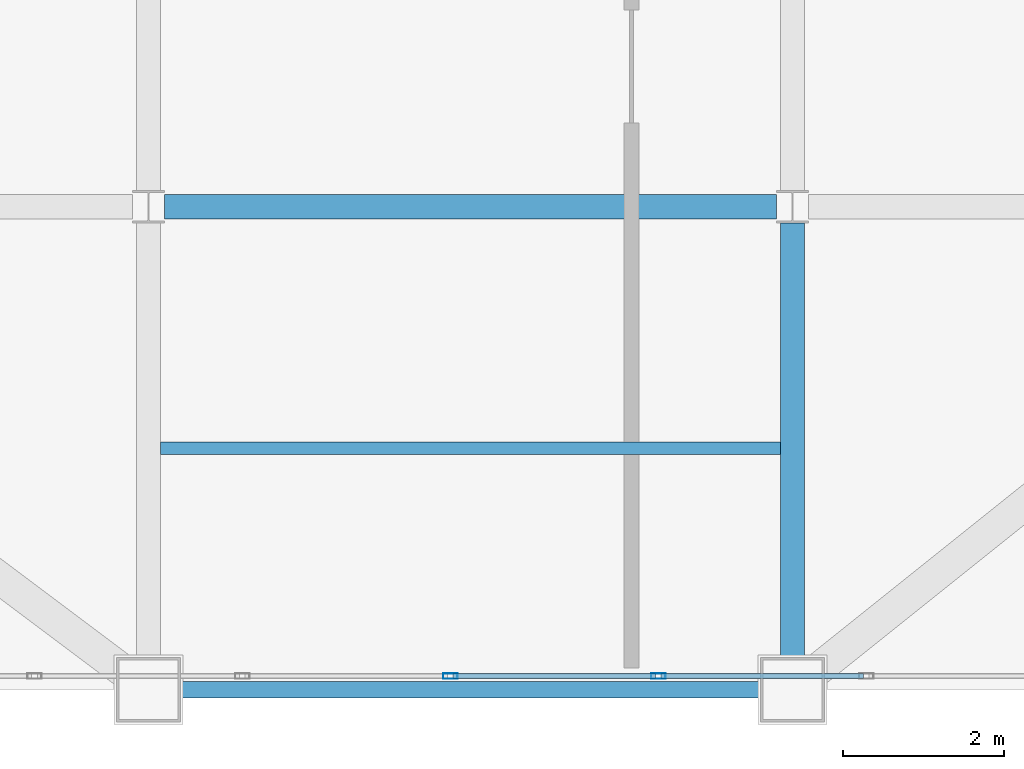
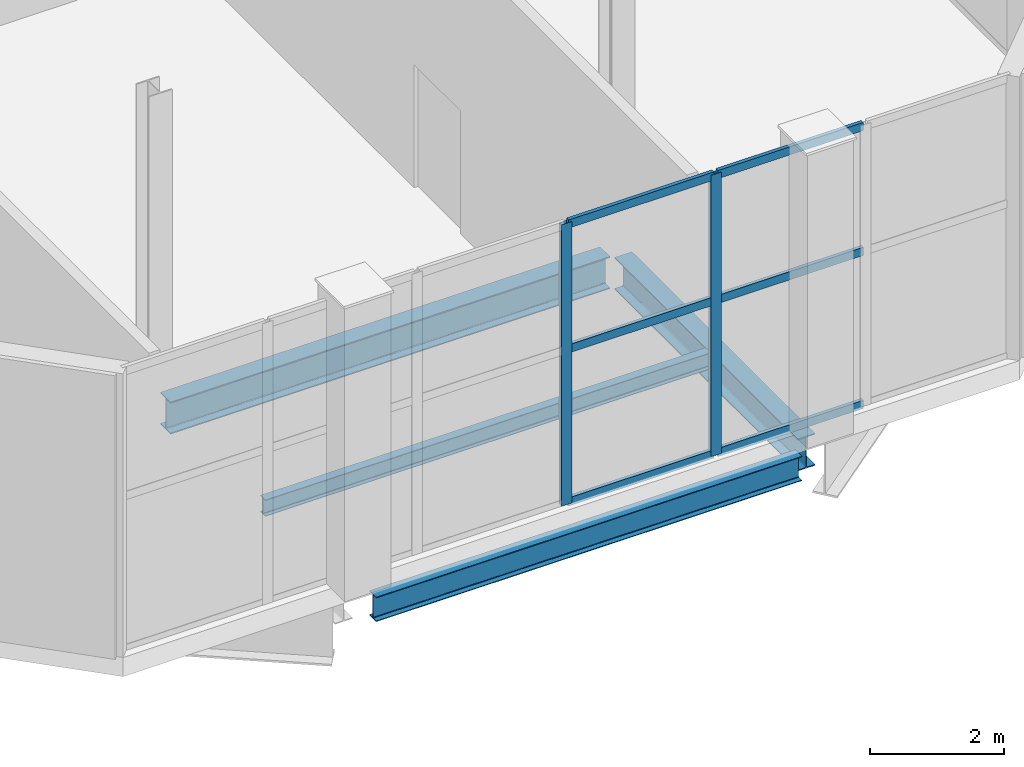
# One storey, part 9 of 23: 8 members, 4 beams, 1 element without a shape of its own.
"""IFC4 building model written with IfcOpenShell, lengths in metres."""

from ifc_helpers import new_model, si_unit, direction, frame, origin, origin_2d, place, context, subcontext, project, spatial, hollow_rectangle, i_section, extrude, material, layer, layer_set, material_profile, profile_set, type_object, element, aggregate, save


model = new_model("IFC4")

# Units and contexts
model_context = context("Model", 3, precision=1e-05, world=origin(), true_north=direction((0.0, 1.0)))
body_context = subcontext(model_context, "Body", "Model", "MODEL_VIEW")
ifc_project = project(units=[si_unit("LENGTHUNIT", "METRE"), si_unit("AREAUNIT", "SQUARE_METRE"), si_unit("VOLUMEUNIT", "CUBIC_METRE"), si_unit("PLANEANGLEUNIT", "RADIAN"), si_unit("MASSUNIT", "GRAM", prefix="KILO")], contexts=[model_context])

# Site, building, storey
site_placement = place(None, origin())
site = spatial("IfcSite", under=ifc_project, at=site_placement, CompositionType="ELEMENT")
building_placement = place(site_placement, origin())
building = spatial("IfcBuilding", under=site, at=building_placement, Name="Qianrong Seaharbour Tower", CompositionType="ELEMENT")
storey_placement = place(building_placement, frame((0.0, 0.0, 281.800048828125)))
storey = spatial("IfcBuildingStorey", under=building, at=storey_placement, Name="L68", CompositionType="ELEMENT", Elevation=281.800048828125)

# Beams
ifc_material_1 = material(Name="Structural steel SN490B", Category="steel")
ifc_material_profile_1 = material_profile(ifc_material_1, i_section(OverallWidth=0.300048828125, OverallDepth=0.587890625, WebThickness=0.011962890625, FlangeThickness=0.02001953125, FilletRadius=0.02392578125, at=origin_2d()), Name="H588x300x12x20")
ifc_profile_set_1 = profile_set([ifc_material_profile_1], Name="Structural steel SN490B")
beam_type_1 = type_object("IfcBeamType", Name="BM-G-588", PredefinedType="BEAM", material=ifc_profile_set_1)
beam_1_placement = place(storey_placement, frame((48.699951171875, 18.5, -0.64404296875), z_axis=(1.0, 0.0, 0.0), x_axis=(0.0, 1.0, 0.0)))
element("IfcBeam", 1, at=beam_1_placement, inside=storey, type_object=beam_type_1, Name="L68 Primary Girder GD G7-G8", PredefinedType="BEAM", context=body_context, shape_type="SweptSolid", body=[
    extrude(i_section(OverallWidth=0.300048828125, OverallDepth=0.587890625, WebThickness=0.011962890625, FlangeThickness=0.02001953125, FilletRadius=0.02392578125, at=origin_2d()), origin(), (0.0, 0.0, 1.0), 7.60009765625),
])
beam_2_placement = place(storey_placement, frame((56.5, 12.820068359375, -0.64404296875), z_axis=(0.0, 1.0, 0.0), x_axis=(-1.0, 0.0, 0.0)))
element("IfcBeam", 2, at=beam_2_placement, inside=storey, type_object=beam_type_1, Name="L68 Primary Girder G8 GC-GD", PredefinedType="BEAM", context=body_context, shape_type="SweptSolid", body=[
    extrude(i_section(OverallWidth=0.300048828125, OverallDepth=0.587890625, WebThickness=0.011962890625, FlangeThickness=0.02001953125, FilletRadius=0.02392578125, at=origin_2d()), origin(), (0.0, 0.0, 1.0), 5.47998046875),
])
ifc_material_2 = material(Name="Structural steel SN400B", Category="steel")
ifc_material_profile_2 = material_profile(ifc_material_2, i_section(OverallWidth=0.14990234375, OverallDepth=0.300048828125, WebThickness=0.006591796875, FlangeThickness=0.009033203125, FilletRadius=0.012939453125, at=origin_2d()), Name="H300x150x6.5x9")
ifc_profile_set_2 = profile_set([ifc_material_profile_2], Name="Structural steel SN400B")
beam_type_2 = type_object("IfcBeamType", Name="BM-J-300", PredefinedType="JOIST", material=ifc_profile_set_2)
beam_3_placement = place(storey_placement, frame((48.64990234375, 15.5, -0.5), z_axis=(1.0, 0.0, 0.0), x_axis=(0.0, 1.0, 0.0)))
element("IfcBeam", 3, at=beam_3_placement, inside=storey, type_object=beam_type_2, Name="L68 Composite Floor Joist G7-G8/GC-GD", PredefinedType="JOIST", context=body_context, shape_type="SweptSolid", body=[
    extrude(i_section(OverallWidth=0.14990234375, OverallDepth=0.300048828125, WebThickness=0.006591796875, FlangeThickness=0.009033203125, FilletRadius=0.012939453125, at=origin_2d()), origin(), (0.0, 0.0, 1.0), 7.7001953125),
])
ifc_material_profile_3 = material_profile(ifc_material_2, i_section(OverallWidth=0.199951171875, OverallDepth=0.449951171875, WebThickness=0.009033203125, FlangeThickness=0.013916015625, FilletRadius=0.01806640625, at=origin_2d()), Name="H450x200x9x14")
ifc_profile_set_3 = profile_set([ifc_material_profile_3], Name="Structural steel SN400B")
beam_type_3 = type_object("IfcBeamType", Name="BM-SP-450", PredefinedType="SPANDREL", material=ifc_profile_set_3)
beam_4_placement = place(storey_placement, frame((48.820068359375, 12.5, -0.574951171875), z_axis=(1.0, 0.0, 0.0), x_axis=(0.0, 1.0, 0.0)))
element("IfcBeam", 4, at=beam_4_placement, inside=storey, type_object=beam_type_3, Name="L68 Spandrel Girder GC G7-G8", PredefinedType="SPANDREL", context=body_context, shape_type="SweptSolid", body=[
    extrude(i_section(OverallWidth=0.199951171875, OverallDepth=0.449951171875, WebThickness=0.009033203125, FlangeThickness=0.013916015625, FilletRadius=0.01806640625, at=origin_2d()), origin(), (0.0, 0.0, 1.0), 7.35986328125),
])

# Curtain wall, members
ifc_material_3 = material(Name="Anodised aluminium 6063-T6 and laminated low-e glass", Category="aluminium")
ifc_layer = layer(ifc_material_3, 0.18505859375)
ifc_layer_set = layer_set([ifc_layer], Name="Anodised aluminium 6063-T6 and laminated low-e glass")
curtain_wall_type = type_object("IfcCurtainWallType", Name="CW-SYS-4", PredefinedType="NOTDEFINED", material=ifc_layer_set)
curtain_wall_placement = place(storey_placement, origin())
curtain_wall = element("IfcCurtainWall", 5, at=curtain_wall_placement, inside=storey, type_object=curtain_wall_type, Name="L68 Refuge Acoustic Louvre Curtain Wall SOUTH_TIP", PredefinedType="NOTDEFINED")
ifc_material_4 = material(Name="Extruded aluminium 6063-T6", Category="aluminium")
ifc_material_profile_4 = material_profile(ifc_material_4, hollow_rectangle(XDim=0.070068359375, YDim=0.179931640625, WallThickness=0.00390625, at=origin_2d()), Name="ALU-MUL-180x70x4")
ifc_profile_set_4 = profile_set([ifc_material_profile_4], Name="Extruded aluminium 6063-T6")
member_type_1 = type_object("IfcMemberType", Name="CW-MUL-180", PredefinedType="MULLION", material=ifc_profile_set_4)
member_1_placement = place(storey_placement, frame((54.833251953125, 12.669921875, 0.0), z_axis=(0.0, 0.0, 1.0), x_axis=(0.0, -1.0, 0.0)))
member_1 = element("IfcMember", 6, at=member_1_placement, type_object=member_type_1, Name="CW-4 mullion 3", PredefinedType="MULLION", context=body_context, shape_type="SweptSolid", body=[
    extrude(hollow_rectangle(XDim=0.070068359375, YDim=0.179931640625, WallThickness=0.00390625, at=origin_2d()), origin(), (0.0, 0.0, 1.0), 5.14501953125),
])
member_2_placement = place(storey_placement, frame((52.25, 12.669921875, 0.0), z_axis=(0.0, 0.0, 1.0), x_axis=(0.0, -1.0, 0.0)))
member_2 = element("IfcMember", 7, at=member_2_placement, type_object=member_type_1, Name="CW-4 mullion 4", PredefinedType="MULLION", context=body_context, shape_type="SweptSolid", body=[
    extrude(hollow_rectangle(XDim=0.070068359375, YDim=0.179931640625, WallThickness=0.00390625, at=origin_2d()), origin(), (0.0, 0.0, 1.0), 5.14501953125),
])
ifc_material_profile_5 = material_profile(ifc_material_4, hollow_rectangle(XDim=0.06494140625, YDim=0.14990234375, WallThickness=0.00390625, at=origin_2d()), Name="ALU-TRN-150x65x4")
ifc_profile_set_5 = profile_set([ifc_material_profile_5], Name="Extruded aluminium 6063-T6")
member_type_2 = type_object("IfcMemberType", Name="CW-TRN-150", PredefinedType="USERDEFINED", material=ifc_profile_set_5)
member_3_placement = place(storey_placement, frame((57.381591796875, 12.669921875, 0.032470703125), z_axis=(-1.0, 0.0, 0.0), x_axis=(0.0, -1.0, 0.0)))
member_3 = element("IfcMember", 8, at=member_3_placement, type_object=member_type_2, Name="CW-4 transom 2.1", ObjectType="TRANSOM", PredefinedType="USERDEFINED", context=body_context, shape_type="SweptSolid", body=[
    extrude(hollow_rectangle(XDim=0.06494140625, YDim=0.14990234375, WallThickness=0.00390625, at=origin_2d()), origin(), (0.0, 0.0, 1.0), 2.51318359375),
])
member_4_placement = place(storey_placement, frame((57.381591796875, 12.669921875, 2.829833984375), z_axis=(-1.0, 0.0, 0.0), x_axis=(0.0, -1.0, 0.0)))
member_4 = element("IfcMember", 9, at=member_4_placement, type_object=member_type_2, Name="CW-4 transom 2.2", ObjectType="TRANSOM", PredefinedType="USERDEFINED", context=body_context, shape_type="SweptSolid", body=[
    extrude(hollow_rectangle(XDim=0.06494140625, YDim=0.14990234375, WallThickness=0.00390625, at=origin_2d()), origin(), (0.0, 0.0, 1.0), 2.51318359375),
])
member_5_placement = place(storey_placement, frame((57.381591796875, 12.669921875, 5.112548828125), z_axis=(-1.0, 0.0, 0.0), x_axis=(0.0, -1.0, 0.0)))
member_5 = element("IfcMember", 10, at=member_5_placement, type_object=member_type_2, Name="CW-4 transom 2.3", ObjectType="TRANSOM", PredefinedType="USERDEFINED", context=body_context, shape_type="SweptSolid", body=[
    extrude(hollow_rectangle(XDim=0.06494140625, YDim=0.14990234375, WallThickness=0.00390625, at=origin_2d()), origin(), (0.0, 0.0, 1.0), 2.51318359375),
])
member_6_placement = place(storey_placement, frame((54.79833984375, 12.669921875, 0.032470703125), z_axis=(-1.0, 0.0, 0.0), x_axis=(0.0, -1.0, 0.0)))
member_6 = element("IfcMember", 11, at=member_6_placement, type_object=member_type_2, Name="CW-4 transom 3.1", ObjectType="TRANSOM", PredefinedType="USERDEFINED", context=body_context, shape_type="SweptSolid", body=[
    extrude(hollow_rectangle(XDim=0.06494140625, YDim=0.14990234375, WallThickness=0.00390625, at=origin_2d()), origin(), (0.0, 0.0, 1.0), 2.513427734375),
])
member_7_placement = place(storey_placement, frame((54.79833984375, 12.669921875, 2.829833984375), z_axis=(-1.0, 0.0, 0.0), x_axis=(0.0, -1.0, 0.0)))
member_7 = element("IfcMember", 12, at=member_7_placement, type_object=member_type_2, Name="CW-4 transom 3.2", ObjectType="TRANSOM", PredefinedType="USERDEFINED", context=body_context, shape_type="SweptSolid", body=[
    extrude(hollow_rectangle(XDim=0.06494140625, YDim=0.14990234375, WallThickness=0.00390625, at=origin_2d()), origin(), (0.0, 0.0, 1.0), 2.513427734375),
])
member_8_placement = place(storey_placement, frame((54.79833984375, 12.669921875, 5.112548828125), z_axis=(-1.0, 0.0, 0.0), x_axis=(0.0, -1.0, 0.0)))
member_8 = element("IfcMember", 13, at=member_8_placement, type_object=member_type_2, Name="CW-4 transom 3.3", ObjectType="TRANSOM", PredefinedType="USERDEFINED", context=body_context, shape_type="SweptSolid", body=[
    extrude(hollow_rectangle(XDim=0.06494140625, YDim=0.14990234375, WallThickness=0.00390625, at=origin_2d()), origin(), (0.0, 0.0, 1.0), 2.513427734375),
])
aggregate(curtain_wall, [member_1, member_2, member_3, member_4, member_5, member_6, member_7, member_8])

save(model, "model.ifc")
